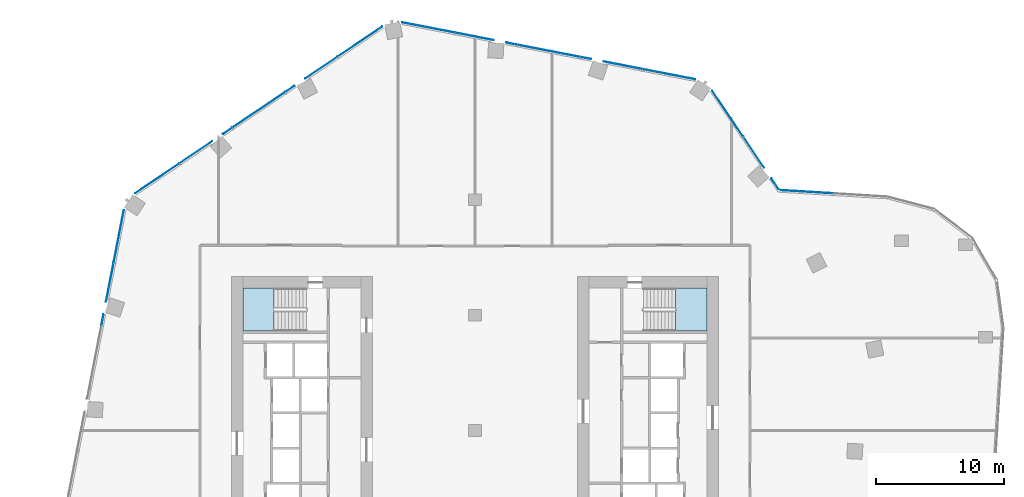
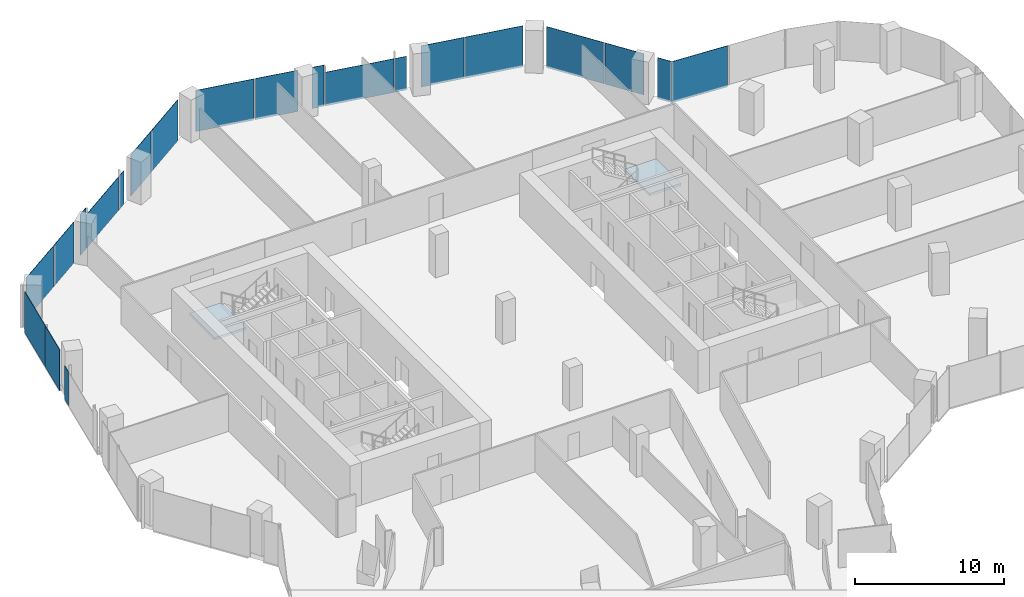
# One storey, part 17 of 25: 21 plates, 2 slabs, 7 elements without a shape of their own.
"""IFC4 building model written with IfcOpenShell, lengths in metres."""

from ifc_helpers import new_model, si_unit, direction, frame, origin, origin_2d, place, context, subcontext, project, spatial, polyline, rectangle, outline, extrude, material, layer, layer_set, type_object, element, aggregate, save


model = new_model("IFC4")

# Units and contexts
model_context = context("Model", 3, precision=1e-05, world=origin(), true_north=direction((0.0, 1.0)))
body_context = subcontext(model_context, "Body", "Model", "MODEL_VIEW")
ifc_project = project(units=[si_unit("LENGTHUNIT", "METRE"), si_unit("AREAUNIT", "SQUARE_METRE"), si_unit("VOLUMEUNIT", "CUBIC_METRE"), si_unit("PLANEANGLEUNIT", "RADIAN"), si_unit("MASSUNIT", "GRAM", prefix="KILO")], contexts=[model_context])

# Site, building, storey
site_placement = place(None, origin())
site = spatial("IfcSite", under=ifc_project, at=site_placement, CompositionType="ELEMENT")
building_placement = place(site_placement, origin())
building = spatial("IfcBuilding", under=site, at=building_placement, Name="Orlundy Tower", CompositionType="ELEMENT")
storey_placement = place(building_placement, frame((0.0, 0.0, 159.60009765625)))
storey = spatial("IfcBuildingStorey", under=building, at=storey_placement, Name="L41", CompositionType="ELEMENT", Elevation=159.60009765625)

# Curtain wall, plates
ifc_material_1 = material(Name="Aluminium bronze anodised", Category="aluminium")
curtain_wall_type = type_object("IfcCurtainWallType", Name="CW1 wall", PredefinedType="NOTDEFINED", material=ifc_material_1)
curtain_wall_1_placement = place(storey_placement, origin())
curtain_wall_1 = element("IfcCurtainWall", 1, at=curtain_wall_1_placement, inside=storey, type_object=curtain_wall_type, Name="CW1 run 02", PredefinedType="NOTDEFINED")
ifc_material_2 = material(Name="Tinted glass", Category="glass")
ifc_layer_1 = layer(ifc_material_2, 0.031982421875)
ifc_layer_set_1 = layer_set([ifc_layer_1], Name="CW1 glass panel 32")
plate_type = type_object("IfcPlateType", Name="CW1 glass panel 32", PredefinedType="CURTAIN_PANEL", material=ifc_layer_set_1)
plate_1_placement = place(storey_placement, frame((-29.05029296875, 8.635009765625, -0.2802734375), z_axis=(0.0, 0.0, 1.0), x_axis=(0.19080503976, 0.981627952333, 0.0)))
plate_1 = element("IfcPlate", 2, at=plate_1_placement, type_object=plate_type, Name="CW1 panel", PredefinedType="CURTAIN_PANEL", context=body_context, shape_type="SweptSolid", body=[
    extrude(rectangle(XDim=0.846923828125, YDim=0.031982421875, at=origin_2d()), origin(), (0.0, 0.0, 1.0), 2.763916015625),
])
plate_2_placement = place(storey_placement, frame((-28.484130859375, 11.5478515625, -0.280029296875), z_axis=(0.0, 0.0, 1.0), x_axis=(0.19080503976, 0.981627952333, 0.0)))
plate_2 = element("IfcPlate", 3, at=plate_2_placement, type_object=plate_type, Name="CW1 panel", PredefinedType="CURTAIN_PANEL", context=body_context, shape_type="SweptSolid", body=[
    extrude(rectangle(XDim=3.059814453125, YDim=0.031982421875, at=origin_2d()), origin(), (0.0, 0.0, 1.0), 3.3798828125),
])
plate_3_placement = place(storey_placement, frame((-27.786865234375, 15.134521484375, -0.280029296875), z_axis=(0.0, 0.0, 1.0), x_axis=(0.19080503976, 0.981627952333, 0.0)))
plate_3 = element("IfcPlate", 4, at=plate_3_placement, type_object=plate_type, Name="CW1 panel", PredefinedType="CURTAIN_PANEL", context=body_context, shape_type="SweptSolid", body=[
    extrude(rectangle(XDim=4.148193359375, YDim=0.031982421875, at=origin_2d()), origin(), (0.0, 0.0, 1.0), 3.3798828125),
])
aggregate(curtain_wall_1, [plate_1, plate_2, plate_3])

curtain_wall_2_placement = place(storey_placement, origin())
curtain_wall_2 = element("IfcCurtainWall", 5, at=curtain_wall_2_placement, inside=storey, type_object=curtain_wall_type, Name="CW1 run 03", PredefinedType="NOTDEFINED")
plate_4_placement = place(storey_placement, frame((-24.78857421875, 19.6640625, -0.280029296875), z_axis=(0.0, 0.0, 1.0), x_axis=(0.829029616512, 0.559204698608, 0.0)))
plate_4 = element("IfcPlate", 6, at=plate_4_placement, type_object=plate_type, Name="CW1 panel", PredefinedType="CURTAIN_PANEL", context=body_context, shape_type="SweptSolid", body=[
    extrude(rectangle(XDim=4.14697265625, YDim=0.031982421875, at=origin_2d()), origin(), (0.0, 0.0, 1.0), 3.3798828125),
])
plate_5_placement = place(storey_placement, frame((-21.762939453125, 21.705078125, -0.280029296875), z_axis=(0.0, 0.0, 1.0), x_axis=(0.829029616512, 0.559204698608, 0.0)))
plate_5 = element("IfcPlate", 7, at=plate_5_placement, type_object=plate_type, Name="CW1 panel", PredefinedType="CURTAIN_PANEL", context=body_context, shape_type="SweptSolid", body=[
    extrude(rectangle(XDim=3.052490234375, YDim=0.031982421875, at=origin_2d()), origin(), (0.0, 0.0, 1.0), 3.3798828125),
])
plate_6_placement = place(storey_placement, frame((-19.2998046875, 23.366455078125, -0.280029296875), z_axis=(0.0, 0.0, 1.0), x_axis=(0.829029616512, 0.559204698608, 0.0)))
plate_6 = element("IfcPlate", 8, at=plate_6_placement, type_object=plate_type, Name="CW1 panel", PredefinedType="CURTAIN_PANEL", context=body_context, shape_type="SweptSolid", body=[
    extrude(rectangle(XDim=0.8466796875, YDim=0.031982421875, at=origin_2d()), origin(), (0.0, 0.0, 1.0), 3.3798828125),
])
plate_7_placement = place(storey_placement, frame((-16.86767578125, 25.007080078125, -0.2802734375), z_axis=(0.0, 0.0, 1.0), x_axis=(0.829029616512, 0.559204698608, 0.0)))
plate_7 = element("IfcPlate", 9, at=plate_7_placement, type_object=plate_type, Name="CW1 panel", PredefinedType="CURTAIN_PANEL", context=body_context, shape_type="SweptSolid", body=[
    extrude(rectangle(XDim=4.920654296875, YDim=0.031982421875, at=origin_2d()), origin(), (0.0, 0.0, 1.0), 2.763916015625),
])
plate_8_placement = place(storey_placement, frame((-14.435302734375, 26.647705078125, -0.2802734375), z_axis=(0.0, 0.0, 1.0), x_axis=(0.829029616512, 0.559204698608, 0.0)))
plate_8 = element("IfcPlate", 10, at=plate_8_placement, type_object=plate_type, Name="CW1 panel", PredefinedType="CURTAIN_PANEL", context=body_context, shape_type="SweptSolid", body=[
    extrude(rectangle(XDim=0.84716796875, YDim=0.031982421875, at=origin_2d()), origin(), (0.0, 0.0, 1.0), 2.763916015625),
])
plate_9_placement = place(storey_placement, frame((-11.97314453125, 28.30859375, -0.280029296875), z_axis=(0.0, 0.0, 1.0), x_axis=(0.829029616512, 0.559204698608, 0.0)))
plate_9 = element("IfcPlate", 11, at=plate_9_placement, type_object=plate_type, Name="CW1 panel", PredefinedType="CURTAIN_PANEL", context=body_context, shape_type="SweptSolid", body=[
    extrude(rectangle(XDim=3.0537109375, YDim=0.031982421875, at=origin_2d()), origin(), (0.0, 0.0, 1.0), 3.3798828125),
])
plate_10_placement = place(storey_placement, frame((-8.9462890625, 30.35009765625, -0.280029296875), z_axis=(0.0, 0.0, 1.0), x_axis=(0.829029616512, 0.559204698608, 0.0)))
plate_10 = element("IfcPlate", 12, at=plate_10_placement, type_object=plate_type, Name="CW1 panel", PredefinedType="CURTAIN_PANEL", context=body_context, shape_type="SweptSolid", body=[
    extrude(rectangle(XDim=4.14794921875, YDim=0.031982421875, at=origin_2d()), origin(), (0.0, 0.0, 1.0), 3.3798828125),
])
aggregate(curtain_wall_2, [plate_4, plate_5, plate_6, plate_7, plate_8, plate_9, plate_10])

curtain_wall_3_placement = place(storey_placement, origin())
curtain_wall_3 = element("IfcCurtainWall", 13, at=curtain_wall_3_placement, inside=storey, type_object=curtain_wall_type, Name="CW1 run 04", PredefinedType="NOTDEFINED")
plate_11_placement = place(storey_placement, frame((-3.62353515625, 31.43310546875, -0.280029296875), z_axis=(0.0, 0.0, 1.0), x_axis=(0.981627952333, -0.19080503976, 0.0)))
plate_11 = element("IfcPlate", 14, at=plate_11_placement, type_object=plate_type, Name="CW1 panel", PredefinedType="CURTAIN_PANEL", context=body_context, shape_type="SweptSolid", body=[
    extrude(rectangle(XDim=4.147216796875, YDim=0.031982421875, at=origin_2d()), origin(), (0.0, 0.0, 1.0), 3.3798828125),
])
plate_12_placement = place(storey_placement, frame((-0.037109375, 30.73583984375, -0.280029296875), z_axis=(0.0, 0.0, 1.0), x_axis=(0.981627952333, -0.19080503976, 0.0)))
plate_12 = element("IfcPlate", 15, at=plate_12_placement, type_object=plate_type, Name="CW1 panel", PredefinedType="CURTAIN_PANEL", context=body_context, shape_type="SweptSolid", body=[
    extrude(rectangle(XDim=3.059814453125, YDim=0.031982421875, at=origin_2d()), origin(), (0.0, 0.0, 1.0), 3.3798828125),
])
plate_13_placement = place(storey_placement, frame((2.87548828125, 30.169677734375, -0.280029296875), z_axis=(0.0, 0.0, 1.0), x_axis=(0.981627952333, -0.19080503976, 0.0)))
plate_13 = element("IfcPlate", 16, at=plate_13_placement, type_object=plate_type, Name="CW1 panel", PredefinedType="CURTAIN_PANEL", context=body_context, shape_type="SweptSolid", body=[
    extrude(rectangle(XDim=0.8466796875, YDim=0.031982421875, at=origin_2d()), origin(), (0.0, 0.0, 1.0), 3.3798828125),
])
plate_14_placement = place(storey_placement, frame((5.75537109375, 29.610107421875, -0.2802734375), z_axis=(0.0, 0.0, 1.0), x_axis=(0.981627952333, -0.19080503976, 0.0)))
plate_14 = element("IfcPlate", 17, at=plate_14_placement, type_object=plate_type, Name="CW1 panel", PredefinedType="CURTAIN_PANEL", context=body_context, shape_type="SweptSolid", body=[
    extrude(rectangle(XDim=4.92041015625, YDim=0.031982421875, at=origin_2d()), origin(), (0.0, 0.0, 1.0), 2.763916015625),
])
plate_15_placement = place(storey_placement, frame((8.635009765625, 29.05029296875, -0.2802734375), z_axis=(0.0, 0.0, 1.0), x_axis=(0.981627952333, -0.19080503976, 0.0)))
plate_15 = element("IfcPlate", 18, at=plate_15_placement, type_object=plate_type, Name="CW1 panel", PredefinedType="CURTAIN_PANEL", context=body_context, shape_type="SweptSolid", body=[
    extrude(rectangle(XDim=0.846923828125, YDim=0.031982421875, at=origin_2d()), origin(), (0.0, 0.0, 1.0), 2.763916015625),
])
plate_16_placement = place(storey_placement, frame((11.5478515625, 28.484130859375, -0.280029296875), z_axis=(0.0, 0.0, 1.0), x_axis=(0.981627952333, -0.19080503976, 0.0)))
plate_16 = element("IfcPlate", 19, at=plate_16_placement, type_object=plate_type, Name="CW1 panel", PredefinedType="CURTAIN_PANEL", context=body_context, shape_type="SweptSolid", body=[
    extrude(rectangle(XDim=3.059814453125, YDim=0.031982421875, at=origin_2d()), origin(), (0.0, 0.0, 1.0), 3.3798828125),
])
plate_17_placement = place(storey_placement, frame((15.134521484375, 27.786865234375, -0.280029296875), z_axis=(0.0, 0.0, 1.0), x_axis=(0.981627952333, -0.19080503976, 0.0)))
plate_17 = element("IfcPlate", 20, at=plate_17_placement, type_object=plate_type, Name="CW1 panel", PredefinedType="CURTAIN_PANEL", context=body_context, shape_type="SweptSolid", body=[
    extrude(rectangle(XDim=4.148193359375, YDim=0.031982421875, at=origin_2d()), origin(), (0.0, 0.0, 1.0), 3.3798828125),
])
aggregate(curtain_wall_3, [plate_11, plate_12, plate_13, plate_14, plate_15, plate_16, plate_17])

curtain_wall_4_placement = place(storey_placement, origin())
curtain_wall_4 = element("IfcCurtainWall", 21, at=curtain_wall_4_placement, inside=storey, type_object=curtain_wall_type, Name="CW1 run 05", PredefinedType="NOTDEFINED")
plate_18_placement = place(storey_placement, frame((19.70556640625, 24.727294921875, -0.280029296875), z_axis=(0.0, 0.0, 1.0), x_axis=(0.559222860538, -0.829017365471, 0.0)))
plate_18 = element("IfcPlate", 22, at=plate_18_placement, type_object=plate_type, Name="CW1 panel", PredefinedType="CURTAIN_PANEL", context=body_context, shape_type="SweptSolid", body=[
    extrude(rectangle(XDim=4.295166015625, YDim=0.031982421875, at=origin_2d()), origin(), (0.0, 0.0, 1.0), 3.3798828125),
])
plate_19_placement = place(storey_placement, frame((21.746826171875, 21.700927734375, -0.280029296875), z_axis=(0.0, 0.0, 1.0), x_axis=(0.559222860538, -0.829017365471, 0.0)))
plate_19 = element("IfcPlate", 23, at=plate_19_placement, type_object=plate_type, Name="CW1 panel", PredefinedType="CURTAIN_PANEL", context=body_context, shape_type="SweptSolid", body=[
    extrude(rectangle(XDim=2.90576171875, YDim=0.031982421875, at=origin_2d()), origin(), (0.0, 0.0, 1.0), 3.3798828125),
])
plate_20_placement = place(storey_placement, frame((23.433837890625, 19.200439453125, -0.280029296875), z_axis=(0.0, 0.0, 1.0), x_axis=(0.559222860538, -0.829017365471, 0.0)))
plate_20 = element("IfcPlate", 24, at=plate_20_placement, type_object=plate_type, Name="CW1 panel", PredefinedType="CURTAIN_PANEL", context=body_context, shape_type="SweptSolid", body=[
    extrude(rectangle(XDim=1.087158203125, YDim=0.031982421875, at=origin_2d()), origin(), (0.0, 0.0, 1.0), 3.3798828125),
])
aggregate(curtain_wall_4, [plate_18, plate_19, plate_20])

# Curtain wall, plate
curtain_wall_5_placement = place(storey_placement, origin())
curtain_wall_5 = element("IfcCurtainWall", 25, at=curtain_wall_5_placement, inside=storey, type_object=curtain_wall_type, Name="CW1 run 06", PredefinedType="NOTDEFINED")
plate_21_placement = place(storey_placement, frame((25.81396484375, 18.622802734375, -0.280029296875), z_axis=(0.0, 0.0, 1.0), x_axis=(0.998133804651, -0.061064785376, 0.0)))
plate_21 = element("IfcPlate", 26, at=plate_21_placement, type_object=plate_type, Name="CW1 panel", PredefinedType="CURTAIN_PANEL", context=body_context, shape_type="SweptSolid", body=[
    extrude(rectangle(XDim=4.16015625, YDim=0.031982421875, at=origin_2d()), origin(), (0.0, 0.0, 1.0), 3.3798828125),
])
aggregate(curtain_wall_5, [plate_21])

# Stair, slab
ifc_material_3 = material(Name="Concrete C50/60", Category="concrete")
stair_type = type_object("IfcStairType", Name="Exit Stair 20 risers", PredefinedType="HALF_TURN_STAIR", material=ifc_material_3)
stair_1_placement = place(storey_placement, origin())
stair_1 = element("IfcStair", 27, at=stair_1_placement, inside=storey, type_object=stair_type, Name="L41 Exit Stair ST-W1", PredefinedType="HALF_TURN_STAIR")
ifc_material_4 = material(Name="Concrete C50/60", Category="concrete")
ifc_layer_2 = layer(ifc_material_4, 0.199951171875)
ifc_layer_set_2 = layer_set([ifc_layer_2], Name="Exit Stair Landing")
slab_type = type_object("IfcSlabType", Name="Exit Stair Landing", PredefinedType="LANDING", material=ifc_layer_set_2)
slab_1_placement = place(storey_placement, frame((0.0, 0.0, 1.5498046875)))
slab_1 = element("IfcSlab", 28, at=slab_1_placement, type_object=slab_type, Name="ST-W1 landing 1", PredefinedType="LANDING", context=body_context, shape_type="SweptSolid", body=[
    extrude(outline(polyline([(-15.659912109375, 11.10009765625), (-18.10009765625, 11.10009765625), (-18.10009765625, 7.75), (-15.659912109375, 7.75), (-15.659912109375, 11.10009765625)])), origin(), (0.0, 0.0, 1.0), 0.2001953125),
])
aggregate(stair_1, [slab_1])

stair_2_placement = place(storey_placement, origin())
stair_2 = element("IfcStair", 29, at=stair_2_placement, inside=storey, type_object=stair_type, Name="L41 Exit Stair ST-E2", PredefinedType="HALF_TURN_STAIR")
slab_2_placement = place(storey_placement, frame((0.0, 0.0, 1.5498046875)))
slab_2 = element("IfcSlab", 30, at=slab_2_placement, type_object=slab_type, Name="ST-E2 landing 1", PredefinedType="LANDING", context=body_context, shape_type="SweptSolid", body=[
    extrude(outline(polyline([(15.659912109375, 7.75), (18.10009765625, 7.75), (18.10009765625, 11.10009765625), (15.659912109375, 11.10009765625), (15.659912109375, 7.75)])), origin(), (0.0, 0.0, 1.0), 0.2001953125),
])
aggregate(stair_2, [slab_2])

save(model, "model.ifc")
